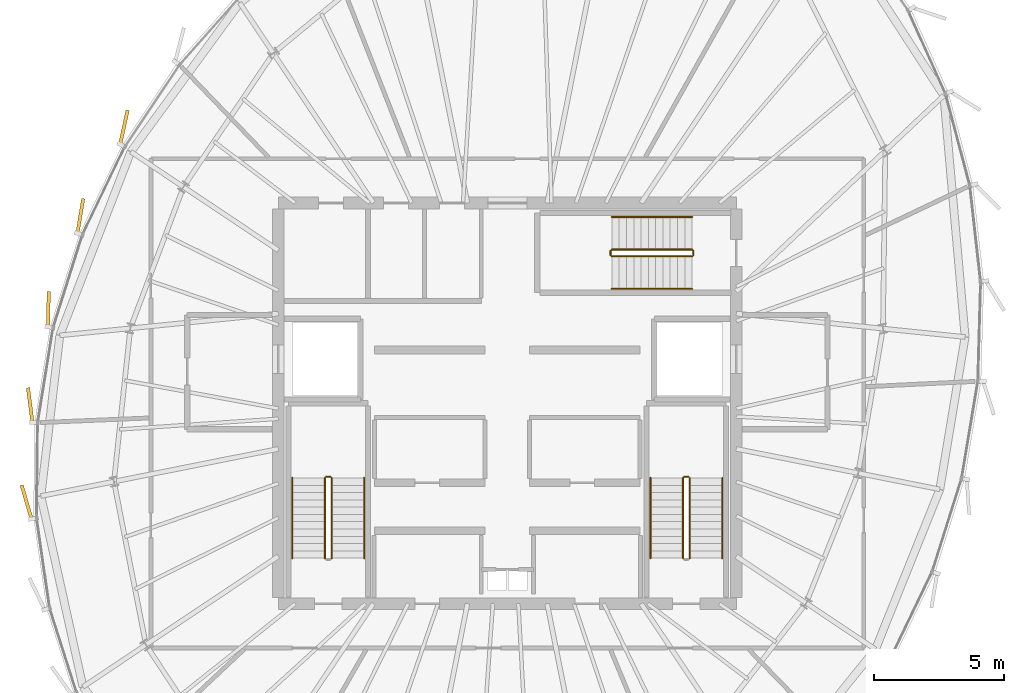
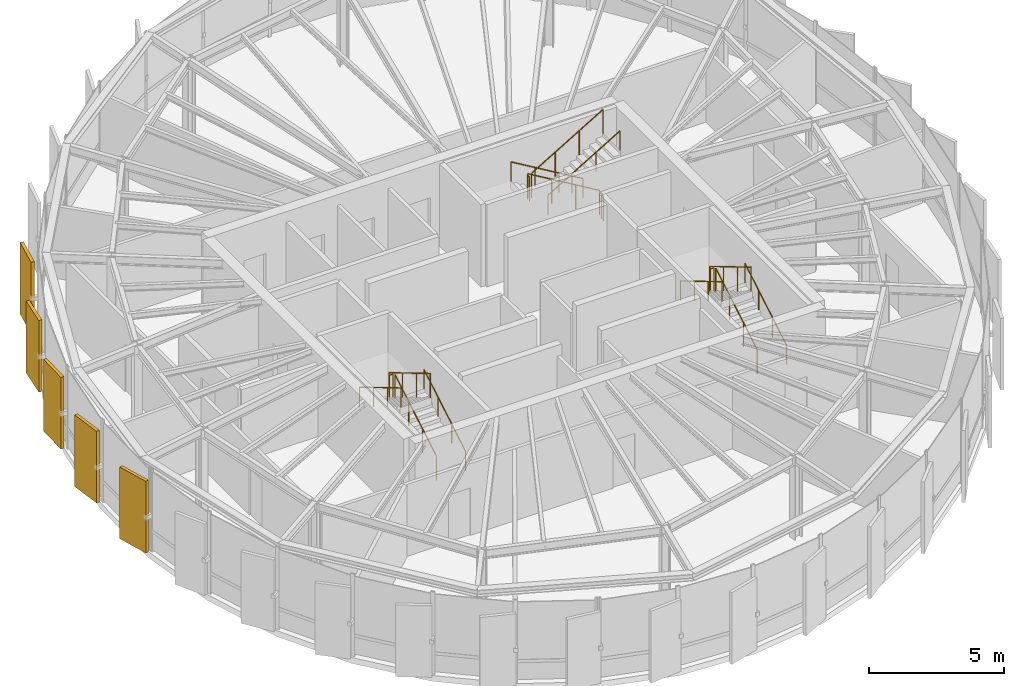
# One storey, part 26 of 27: 16 railings, 5 coverings.
"""IFC4 building model written with IfcOpenShell, lengths in metres."""

from ifc_helpers import new_model, si_unit, direction, frame, origin, origin_2d, place, context, subcontext, project, spatial, rectangle, circle, extrude, source, transform, mapped, material, layer, layer_set, type_object, element, save


model = new_model("IFC4")

# Units and contexts
model_context = context("Model", 3, precision=1e-05, world=origin(), true_north=direction((0.0, 1.0)))
body_context = subcontext(model_context, "Body", "Model", "MODEL_VIEW")
ifc_project = project(units=[si_unit("LENGTHUNIT", "METRE"), si_unit("AREAUNIT", "SQUARE_METRE"), si_unit("VOLUMEUNIT", "CUBIC_METRE"), si_unit("PLANEANGLEUNIT", "RADIAN"), si_unit("MASSUNIT", "GRAM", prefix="KILO"), si_unit("THERMODYNAMICTEMPERATUREUNIT", "KELVIN")], contexts=[model_context])

# Site, building, storey
site_placement = place(None, origin())
site = spatial("IfcSite", under=ifc_project, at=site_placement, CompositionType="ELEMENT")
building_placement = place(site_placement, origin())
building = spatial("IfcBuilding", under=site, at=building_placement, Name="Kethvar Cultural Tower", CompositionType="ELEMENT")
storey_placement = place(building_placement, frame((0.0, 0.0, 308.300048828125)))
storey = spatial("IfcBuildingStorey", under=building, at=storey_placement, Name="L82", CompositionType="ELEMENT", Elevation=308.300048828125)

# Railings
ifc_material_1 = material(Name="Steel S355J2", Category="steel")
railing_type_1 = type_object("IfcRailingType", Name="RL-STAIR-GUARD", PredefinedType="BALUSTRADE", material=ifc_material_1)
railing_1_placement = place(storey_placement, frame((40.050048828125, 21.85009765625, 0.16650390625)))
element("IfcRailing", 1, at=railing_1_placement, inside=storey, type_object=railing_type_1, Name="L82 ST-01 stair guard 1", PredefinedType="BALUSTRADE", context=body_context, shape_type="SweptSolid", body=[
    extrude(circle(Radius=0.02392578125, at=origin_2d()), frame((0.0, 0.0, 1.09619140625), z_axis=(0.0, 0.859260807169, 0.511537745687), x_axis=(-1.0, 0.0, 0.0)), (0.0, 0.0, 1.0), 3.584228515625),
    extrude(circle(Radius=0.02099609375, at=origin_2d()), origin(), (0.0, 0.0, 1.0), 1.072021484375),
    extrude(circle(Radius=0.02099609375, at=origin_2d()), frame((0.0, 1.026611328125, 0.611083984375)), (0.0, 0.0, 1.0), 1.072021484375),
    extrude(circle(Radius=0.02099609375, at=origin_2d()), frame((0.0, 2.05322265625, 1.222412109375)), (0.0, 0.0, 1.0), 1.072021484375),
    extrude(circle(Radius=0.02099609375, at=origin_2d()), frame((0.0, 3.079833984375, 1.83349609375)), (0.0, 0.0, 1.0), 1.072021484375),
])
railing_2_placement = place(storey_placement, frame((40.0, 24.97998046875, 2.0)))
element("IfcRailing", 2, at=railing_2_placement, inside=storey, type_object=railing_type_1, Name="L82 ST-01 stair guard 2", PredefinedType="BALUSTRADE", context=body_context, shape_type="SweptSolid", body=[
    extrude(circle(Radius=0.02392578125, at=origin_2d()), frame((0.0, 0.0, 1.09619140625), z_axis=(-1.0, 0.0, 0.0), x_axis=(0.0, -1.0, 0.0)), (0.0, 0.0, 1.0), 0.159912109375),
    extrude(circle(Radius=0.02099609375, at=origin_2d()), origin(), (0.0, 0.0, 1.0), 1.072021484375),
    extrude(circle(Radius=0.02099609375, at=origin_2d()), frame((-0.159912109375, 0.0, 0.0)), (0.0, 0.0, 1.0), 1.072021484375),
])
railing_3_placement = place(storey_placement, frame((39.7900390625, 24.929931640625, 2.16650390625)))
element("IfcRailing", 3, at=railing_3_placement, inside=storey, type_object=railing_type_1, Name="L82 ST-01 stair guard 3", PredefinedType="BALUSTRADE", context=body_context, shape_type="SweptSolid", body=[
    extrude(circle(Radius=0.02392578125, at=origin_2d()), frame((0.0, 0.0, 1.09619140625), z_axis=(0.0, -0.859260807169, 0.511537745687), x_axis=(1.0, 0.0, 0.0)), (0.0, 0.0, 1.0), 3.584228515625),
    extrude(circle(Radius=0.02099609375, at=origin_2d()), origin(), (0.0, 0.0, 1.0), 1.072021484375),
    extrude(circle(Radius=0.02099609375, at=origin_2d()), frame((0.0, -1.026611328125, 0.611083984375)), (0.0, 0.0, 1.0), 1.072021484375),
    extrude(circle(Radius=0.02099609375, at=origin_2d()), frame((0.0, -2.05322265625, 1.222412109375)), (0.0, 0.0, 1.0), 1.072021484375),
    extrude(circle(Radius=0.02099609375, at=origin_2d()), frame((0.0, -3.079833984375, 1.83349609375)), (0.0, 0.0, 1.0), 1.072021484375),
])
railing_4_placement = place(storey_placement, frame((53.81005859375, 21.85009765625, 0.16650390625)))
element("IfcRailing", 4, at=railing_4_placement, inside=storey, type_object=railing_type_1, Name="L82 ST-02 stair guard 1", PredefinedType="BALUSTRADE", context=body_context, shape_type="SweptSolid", body=[
    extrude(circle(Radius=0.02392578125, at=origin_2d()), frame((0.0, 0.0, 1.09619140625), z_axis=(0.0, 0.859260807169, 0.511537745687), x_axis=(-1.0, 0.0, 0.0)), (0.0, 0.0, 1.0), 3.584228515625),
    extrude(circle(Radius=0.02099609375, at=origin_2d()), origin(), (0.0, 0.0, 1.0), 1.072021484375),
    extrude(circle(Radius=0.02099609375, at=origin_2d()), frame((0.0, 1.026611328125, 0.611083984375)), (0.0, 0.0, 1.0), 1.072021484375),
    extrude(circle(Radius=0.02099609375, at=origin_2d()), frame((0.0, 2.05322265625, 1.222412109375)), (0.0, 0.0, 1.0), 1.072021484375),
    extrude(circle(Radius=0.02099609375, at=origin_2d()), frame((0.0, 3.079833984375, 1.83349609375)), (0.0, 0.0, 1.0), 1.072021484375),
])
railing_5_placement = place(storey_placement, frame((53.760009765625, 24.97998046875, 2.0)))
element("IfcRailing", 5, at=railing_5_placement, inside=storey, type_object=railing_type_1, Name="L82 ST-02 stair guard 2", PredefinedType="BALUSTRADE", context=body_context, shape_type="SweptSolid", body=[
    extrude(circle(Radius=0.02392578125, at=origin_2d()), frame((0.0, 0.0, 1.09619140625), z_axis=(-1.0, 0.0, 0.0), x_axis=(0.0, -1.0, 0.0)), (0.0, 0.0, 1.0), 0.159912109375),
    extrude(circle(Radius=0.02099609375, at=origin_2d()), origin(), (0.0, 0.0, 1.0), 1.072021484375),
    extrude(circle(Radius=0.02099609375, at=origin_2d()), frame((-0.159912109375, 0.0, 0.0)), (0.0, 0.0, 1.0), 1.072021484375),
])
railing_6_placement = place(storey_placement, frame((53.550048828125, 24.929931640625, 2.16650390625)))
element("IfcRailing", 6, at=railing_6_placement, inside=storey, type_object=railing_type_1, Name="L82 ST-02 stair guard 3", PredefinedType="BALUSTRADE", context=body_context, shape_type="SweptSolid", body=[
    extrude(circle(Radius=0.02392578125, at=origin_2d()), frame((0.0, 0.0, 1.09619140625), z_axis=(0.0, -0.859260807169, 0.511537745687), x_axis=(1.0, 0.0, 0.0)), (0.0, 0.0, 1.0), 3.584228515625),
    extrude(circle(Radius=0.02099609375, at=origin_2d()), origin(), (0.0, 0.0, 1.0), 1.072021484375),
    extrude(circle(Radius=0.02099609375, at=origin_2d()), frame((0.0, -1.026611328125, 0.611083984375)), (0.0, 0.0, 1.0), 1.072021484375),
    extrude(circle(Radius=0.02099609375, at=origin_2d()), frame((0.0, -2.05322265625, 1.222412109375)), (0.0, 0.0, 1.0), 1.072021484375),
    extrude(circle(Radius=0.02099609375, at=origin_2d()), frame((0.0, -3.079833984375, 1.83349609375)), (0.0, 0.0, 1.0), 1.072021484375),
])
railing_7_placement = place(storey_placement, frame((53.89990234375, 33.7099609375, 0.16650390625)))
element("IfcRailing", 7, at=railing_7_placement, inside=storey, type_object=railing_type_1, Name="L82 ST-03 stair guard 1", PredefinedType="BALUSTRADE", context=body_context, shape_type="SweptSolid", body=[
    extrude(circle(Radius=0.02392578125, at=origin_2d()), frame((0.0, 0.0, 1.09619140625), z_axis=(-0.859260807169, 0.0, 0.511537745687), x_axis=(0.0, -1.0, 0.0)), (0.0, 0.0, 1.0), 3.584228515625),
    extrude(circle(Radius=0.02099609375, at=origin_2d()), origin(), (0.0, 0.0, 1.0), 1.072021484375),
    extrude(circle(Radius=0.02099609375, at=origin_2d()), frame((-1.026611328125, 0.0, 0.611083984375)), (0.0, 0.0, 1.0), 1.072021484375),
    extrude(circle(Radius=0.02099609375, at=origin_2d()), frame((-2.05322265625, 0.0, 1.222412109375)), (0.0, 0.0, 1.0), 1.072021484375),
    extrude(circle(Radius=0.02099609375, at=origin_2d()), frame((-3.079833984375, 0.0, 1.83349609375)), (0.0, 0.0, 1.0), 1.072021484375),
])
railing_8_placement = place(storey_placement, frame((50.77001953125, 33.659912109375, 2.0)))
element("IfcRailing", 8, at=railing_8_placement, inside=storey, type_object=railing_type_1, Name="L82 ST-03 stair guard 2", PredefinedType="BALUSTRADE", context=body_context, shape_type="SweptSolid", body=[
    extrude(circle(Radius=0.02392578125, at=origin_2d()), frame((0.0, 0.0, 1.09619140625), z_axis=(0.0, -1.0, 0.0), x_axis=(1.0, 0.0, 0.0)), (0.0, 0.0, 1.0), 0.159912109375),
    extrude(circle(Radius=0.02099609375, at=origin_2d()), origin(), (0.0, 0.0, 1.0), 1.072021484375),
    extrude(circle(Radius=0.02099609375, at=origin_2d()), frame((0.0, -0.159912109375, 0.0)), (0.0, 0.0, 1.0), 1.072021484375),
])
railing_9_placement = place(storey_placement, frame((50.820068359375, 33.449951171875, 2.16650390625)))
element("IfcRailing", 9, at=railing_9_placement, inside=storey, type_object=railing_type_1, Name="L82 ST-03 stair guard 3", PredefinedType="BALUSTRADE", context=body_context, shape_type="SweptSolid", body=[
    extrude(circle(Radius=0.02392578125, at=origin_2d()), frame((0.0, 0.0, 1.09619140625), z_axis=(0.859260807169, 0.0, 0.511537745687), x_axis=(0.0, 1.0, 0.0)), (0.0, 0.0, 1.0), 3.584228515625),
    extrude(circle(Radius=0.02099609375, at=origin_2d()), origin(), (0.0, 0.0, 1.0), 1.072021484375),
    extrude(circle(Radius=0.02099609375, at=origin_2d()), frame((1.026611328125, 0.0, 0.611083984375)), (0.0, 0.0, 1.0), 1.072021484375),
    extrude(circle(Radius=0.02099609375, at=origin_2d()), frame((2.05322265625, 0.0, 1.222412109375)), (0.0, 0.0, 1.0), 1.072021484375),
    extrude(circle(Radius=0.02099609375, at=origin_2d()), frame((3.079833984375, 0.0, 1.83349609375)), (0.0, 0.0, 1.0), 1.072021484375),
])
railing_10_placement = place(storey_placement, frame((53.949951171875, 33.659912109375, 0.0)))
element("IfcRailing", 10, at=railing_10_placement, inside=storey, type_object=railing_type_1, Name="L82 ST-03 stair guard 4", PredefinedType="BALUSTRADE", context=body_context, shape_type="SweptSolid", body=[
    extrude(circle(Radius=0.02392578125, at=origin_2d()), frame((0.0, 0.0, 1.09619140625), z_axis=(0.0, -1.0, 0.0), x_axis=(1.0, 0.0, 0.0)), (0.0, 0.0, 1.0), 0.159912109375),
    extrude(circle(Radius=0.02099609375, at=origin_2d()), origin(), (0.0, 0.0, 1.0), 1.072021484375),
    extrude(circle(Radius=0.02099609375, at=origin_2d()), frame((0.0, -0.159912109375, 0.0)), (0.0, 0.0, 1.0), 1.072021484375),
])
railing_type_2 = type_object("IfcRailingType", Name="RL-STAIR-HANDRAIL", PredefinedType="HANDRAIL", material=ifc_material_1)
railing_11_placement = place(storey_placement, frame((41.300048828125, 21.85009765625, 0.16650390625)))
element("IfcRailing", 11, at=railing_11_placement, inside=storey, type_object=railing_type_2, Name="L82 ST-01 stair handrail 1", PredefinedType="HANDRAIL", context=body_context, shape_type="SweptSolid", body=[
    extrude(circle(Radius=0.02392578125, at=origin_2d()), frame((0.0, 0.0, 0.8759765625), z_axis=(0.0, 0.859260807169, 0.511537745687), x_axis=(-1.0, 0.0, 0.0)), (0.0, 0.0, 1.0), 3.584228515625),
    extrude(circle(Radius=0.02099609375, at=origin_2d()), origin(), (0.0, 0.0, 1.0), 0.851806640625),
    extrude(circle(Radius=0.02099609375, at=origin_2d()), frame((0.0, 1.026611328125, 0.611083984375)), (0.0, 0.0, 1.0), 0.851806640625),
    extrude(circle(Radius=0.02099609375, at=origin_2d()), frame((0.0, 2.05322265625, 1.222412109375)), (0.0, 0.0, 1.0), 0.851806640625),
    extrude(circle(Radius=0.02099609375, at=origin_2d()), frame((0.0, 3.079833984375, 1.83349609375)), (0.0, 0.0, 1.0), 0.851806640625),
])
railing_12_placement = place(storey_placement, frame((38.5400390625, 24.929931640625, 2.16650390625)))
element("IfcRailing", 12, at=railing_12_placement, inside=storey, type_object=railing_type_2, Name="L82 ST-01 stair handrail 2", PredefinedType="HANDRAIL", context=body_context, shape_type="SweptSolid", body=[
    extrude(circle(Radius=0.02392578125, at=origin_2d()), frame((0.0, 0.0, 0.8759765625), z_axis=(0.0, -0.859260807169, 0.511537745687), x_axis=(1.0, 0.0, 0.0)), (0.0, 0.0, 1.0), 3.584228515625),
    extrude(circle(Radius=0.02099609375, at=origin_2d()), origin(), (0.0, 0.0, 1.0), 0.851806640625),
    extrude(circle(Radius=0.02099609375, at=origin_2d()), frame((0.0, -1.026611328125, 0.611083984375)), (0.0, 0.0, 1.0), 0.851806640625),
    extrude(circle(Radius=0.02099609375, at=origin_2d()), frame((0.0, -2.05322265625, 1.222412109375)), (0.0, 0.0, 1.0), 0.851806640625),
    extrude(circle(Radius=0.02099609375, at=origin_2d()), frame((0.0, -3.079833984375, 1.83349609375)), (0.0, 0.0, 1.0), 0.851806640625),
])
railing_13_placement = place(storey_placement, frame((55.06005859375, 21.85009765625, 0.16650390625)))
element("IfcRailing", 13, at=railing_13_placement, inside=storey, type_object=railing_type_2, Name="L82 ST-02 stair handrail 1", PredefinedType="HANDRAIL", context=body_context, shape_type="SweptSolid", body=[
    extrude(circle(Radius=0.02392578125, at=origin_2d()), frame((0.0, 0.0, 0.8759765625), z_axis=(0.0, 0.859260807169, 0.511537745687), x_axis=(-1.0, 0.0, 0.0)), (0.0, 0.0, 1.0), 3.584228515625),
    extrude(circle(Radius=0.02099609375, at=origin_2d()), origin(), (0.0, 0.0, 1.0), 0.851806640625),
    extrude(circle(Radius=0.02099609375, at=origin_2d()), frame((0.0, 1.026611328125, 0.611083984375)), (0.0, 0.0, 1.0), 0.851806640625),
    extrude(circle(Radius=0.02099609375, at=origin_2d()), frame((0.0, 2.05322265625, 1.222412109375)), (0.0, 0.0, 1.0), 0.851806640625),
    extrude(circle(Radius=0.02099609375, at=origin_2d()), frame((0.0, 3.079833984375, 1.83349609375)), (0.0, 0.0, 1.0), 0.851806640625),
])
railing_14_placement = place(storey_placement, frame((52.300048828125, 24.929931640625, 2.16650390625)))
element("IfcRailing", 14, at=railing_14_placement, inside=storey, type_object=railing_type_2, Name="L82 ST-02 stair handrail 2", PredefinedType="HANDRAIL", context=body_context, shape_type="SweptSolid", body=[
    extrude(circle(Radius=0.02392578125, at=origin_2d()), frame((0.0, 0.0, 0.8759765625), z_axis=(0.0, -0.859260807169, 0.511537745687), x_axis=(1.0, 0.0, 0.0)), (0.0, 0.0, 1.0), 3.584228515625),
    extrude(circle(Radius=0.02099609375, at=origin_2d()), origin(), (0.0, 0.0, 1.0), 0.851806640625),
    extrude(circle(Radius=0.02099609375, at=origin_2d()), frame((0.0, -1.026611328125, 0.611083984375)), (0.0, 0.0, 1.0), 0.851806640625),
    extrude(circle(Radius=0.02099609375, at=origin_2d()), frame((0.0, -2.05322265625, 1.222412109375)), (0.0, 0.0, 1.0), 0.851806640625),
    extrude(circle(Radius=0.02099609375, at=origin_2d()), frame((0.0, -3.079833984375, 1.83349609375)), (0.0, 0.0, 1.0), 0.851806640625),
])
railing_15_placement = place(storey_placement, frame((53.89990234375, 34.9599609375, 0.16650390625)))
element("IfcRailing", 15, at=railing_15_placement, inside=storey, type_object=railing_type_2, Name="L82 ST-03 stair handrail 1", PredefinedType="HANDRAIL", context=body_context, shape_type="SweptSolid", body=[
    extrude(circle(Radius=0.02392578125, at=origin_2d()), frame((0.0, 0.0, 0.8759765625), z_axis=(-0.859260807169, 0.0, 0.511537745687), x_axis=(0.0, -1.0, 0.0)), (0.0, 0.0, 1.0), 3.584228515625),
    extrude(circle(Radius=0.02099609375, at=origin_2d()), origin(), (0.0, 0.0, 1.0), 0.851806640625),
    extrude(circle(Radius=0.02099609375, at=origin_2d()), frame((-1.026611328125, 0.0, 0.611083984375)), (0.0, 0.0, 1.0), 0.851806640625),
    extrude(circle(Radius=0.02099609375, at=origin_2d()), frame((-2.05322265625, 0.0, 1.222412109375)), (0.0, 0.0, 1.0), 0.851806640625),
    extrude(circle(Radius=0.02099609375, at=origin_2d()), frame((-3.079833984375, 0.0, 1.83349609375)), (0.0, 0.0, 1.0), 0.851806640625),
])
railing_16_placement = place(storey_placement, frame((50.820068359375, 32.199951171875, 2.16650390625)))
element("IfcRailing", 16, at=railing_16_placement, inside=storey, type_object=railing_type_2, Name="L82 ST-03 stair handrail 2", PredefinedType="HANDRAIL", context=body_context, shape_type="SweptSolid", body=[
    extrude(circle(Radius=0.02392578125, at=origin_2d()), frame((0.0, 0.0, 0.8759765625), z_axis=(0.859260807169, 0.0, 0.511537745687), x_axis=(0.0, 1.0, 0.0)), (0.0, 0.0, 1.0), 3.584228515625),
    extrude(circle(Radius=0.02099609375, at=origin_2d()), origin(), (0.0, 0.0, 1.0), 0.851806640625),
    extrude(circle(Radius=0.02099609375, at=origin_2d()), frame((1.026611328125, 0.0, 0.611083984375)), (0.0, 0.0, 1.0), 0.851806640625),
    extrude(circle(Radius=0.02099609375, at=origin_2d()), frame((2.05322265625, 0.0, 1.222412109375)), (0.0, 0.0, 1.0), 0.851806640625),
    extrude(circle(Radius=0.02099609375, at=origin_2d()), frame((3.079833984375, 0.0, 1.83349609375)), (0.0, 0.0, 1.0), 0.851806640625),
])

# Coverings
ifc_material_2 = material(Name="Extruded Architectural Terracotta", Category="masonry")
ifc_layer = layer(ifc_material_2, 0.135009765625, Name="Extruded Architectural Terracotta", Category="masonry")
ifc_layer_set = layer_set([ifc_layer], Name="Extruded Architectural Terracotta (135 mm)")
covering_type = type_object("IfcCoveringType", Name="Terracotta Facade Fin FIN-03", PredefinedType="CLADDING", material=ifc_layer_set)
shared_shape = source(origin(), body_context, "Body", "SweptSolid", [
    extrude(rectangle(XDim=1.35009765625, YDim=0.135009765625, at=origin_2d()), origin(), (0.0, 0.0, 1.0), 3.25),
])
for number, where, z_axis, x_axis, name in (
    (17, (32.065185546875, 38.406982421875, 0.02001953125), (0.0, 0.0, 1.0), (0.213882938162, 0.976859298345, 0.0), "L82 Vertical Terracotta Fin 2.3"),
    (18, (30.391845703125, 35.0, 0.02001953125), (0.0, 0.0, 1.0), (0.164875464037, 0.986314392757, 0.0), "L82 Vertical Terracotta Fin 2.4"),
    (19, (29.1630859375, 31.416015625, 0.02001953125), (0.0, 0.0, 1.0), (0.021116914211, 0.999777013106, 0.0), "L82 Vertical Terracotta Fin 2.5"),
    (20, (28.46630859375, 27.727783203125, 0.02001953125), (0.0, 0.0, 1.0), (-0.12741083733, 0.991850028246, 0.0), "L82 Vertical Terracotta Fin 2.6"),
    (21, (28.326904296875, 24.003662109375, 0.02001953125), (0.0, 0.0, 1.0), (-0.279996570078, 0.960001000387, 0.0), "L82 Vertical Terracotta Fin 3.1"),
):
    element("IfcCovering", number, at=place(storey_placement, frame(where, z_axis=z_axis, x_axis=x_axis)), inside=storey, type_object=covering_type, Name=name, PredefinedType="CLADDING", context=body_context, shape_type="MappedRepresentation", body=[
        mapped(shared_shape, transform((0.0, 0.0, 0.0), scale=1.0)),
    ])

save(model, "model.ifc")
